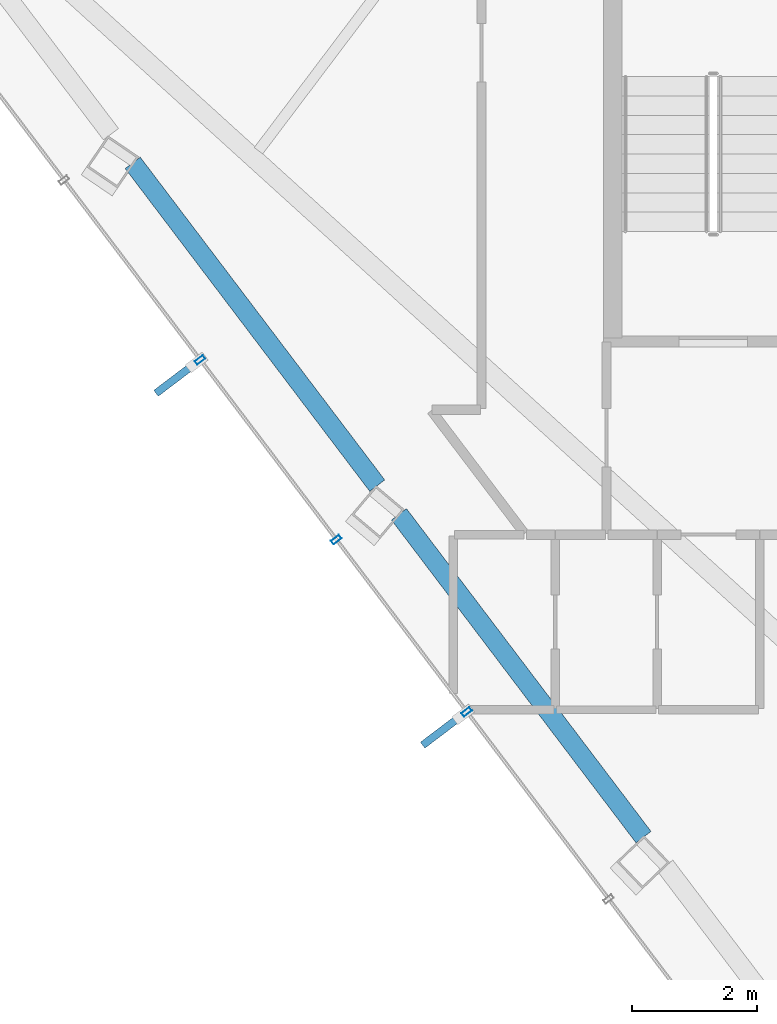
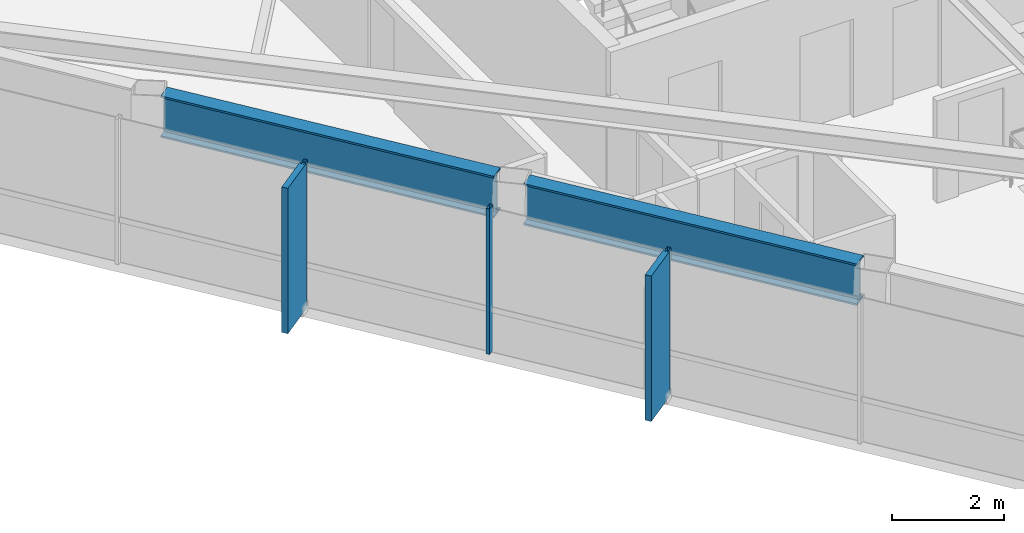
# One storey, part 3 of 25: 5 members, 2 beams, 1 element without a shape of its own.
"""IFC4 building model written with IfcOpenShell, lengths in metres."""

from ifc_helpers import new_model, si_unit, direction, frame, origin, origin_2d, place, context, subcontext, project, spatial, rectangle, hollow_rectangle, i_section, extrude, material, layer, layer_set, material_profile, profile_set, type_object, element, aggregate, save


model = new_model("IFC4")

# Units and contexts
model_context = context("Model", 3, precision=1e-05, world=origin(), true_north=direction((0.0, 1.0)))
body_context = subcontext(model_context, "Body", "Model", "MODEL_VIEW")
ifc_project = project(units=[si_unit("LENGTHUNIT", "METRE"), si_unit("AREAUNIT", "SQUARE_METRE"), si_unit("VOLUMEUNIT", "CUBIC_METRE"), si_unit("PLANEANGLEUNIT", "RADIAN"), si_unit("MASSUNIT", "GRAM", prefix="KILO")], contexts=[model_context])

# Site, building, storey
site_placement = place(None, origin())
site = spatial("IfcSite", under=ifc_project, at=site_placement, CompositionType="ELEMENT")
building_placement = place(site_placement, origin())
building = spatial("IfcBuilding", under=site, at=building_placement, Name="Zarrinselat Tower", CompositionType="ELEMENT")
storey_placement = place(building_placement, frame((0.0, 0.0, 246.159912109375)))
storey = spatial("IfcBuildingStorey", under=building, at=storey_placement, Name="L62", CompositionType="ELEMENT", Elevation=246.159912109375)

# Beams
ifc_material_1 = material(Name="Steel S460M", Category="steel")
ifc_material_profile_1 = material_profile(ifc_material_1, i_section(OverallWidth=0.302001953125, OverallDepth=0.909912109375, WebThickness=0.02099609375, FlangeThickness=0.0400390625, at=origin_2d()), Name="HEM 900")
ifc_profile_set_1 = profile_set([ifc_material_profile_1], Name="Steel S460M")
beam_type = type_object("IfcBeamType", Name="BM-HEM900", PredefinedType="BEAM", material=ifc_profile_set_1)
for number, where, z_axis, x_axis, name in (
    (1, (20.966796875, 36.099365234375, 2.72509765625), (0.603856237533, -0.797093246987, 0.0), (0.797093246987, 0.603856237533, 0.0), "L62 Perimeter Spandrel Girder SP07"),
    (2, (25.228515625, 30.473876953125, 2.72509765625), (0.603856237533, -0.797093246987, 0.0), (0.797093246987, 0.603856237533, 0.0), "L62 Perimeter Spandrel Girder SP08"),
):
    element("IfcBeam", number, at=place(storey_placement, frame(where, z_axis=z_axis, x_axis=x_axis)), inside=storey, type_object=beam_type, Name=name, PredefinedType="BEAM", context=body_context, shape_type="SweptSolid", body=[
        extrude(i_section(OverallWidth=0.302001953125, OverallDepth=0.909912109375, WebThickness=0.02099609375, FlangeThickness=0.0400390625, at=origin_2d()), origin(), (0.0, 0.0, 1.0), 6.4814453125),
    ])

# Curtain wall, members
ifc_material_2 = material(Name="Extruded Aluminium Alloy EN AW-6063 T6", Category="aluminium")
ifc_layer = layer(ifc_material_2, 0.169921875)
ifc_layer_set = layer_set([ifc_layer], Name="Extruded Aluminium Alloy EN AW-6063 T6")
curtain_wall_type = type_object("IfcCurtainWallType", Name="CWS-RES", PredefinedType="NOTDEFINED", material=ifc_layer_set)
curtain_wall_placement = place(storey_placement, origin())
curtain_wall = element("IfcCurtainWall", 3, at=curtain_wall_placement, inside=storey, type_object=curtain_wall_type, Name="L62 Unitised Curtain Wall CW-L62-E03", PredefinedType="NOTDEFINED")
ifc_material_3 = material(Name="Extruded Aluminium Alloy EN AW-6063 T6", Category="aluminium")
ifc_material_profile_2 = material_profile(ifc_material_3, hollow_rectangle(XDim=0.070068359375, YDim=0.159912109375, WallThickness=0.00390625, at=origin_2d()), Name="RHS 160x70x4")
ifc_profile_set_2 = profile_set([ifc_material_profile_2], Name="Extruded Aluminium Alloy EN AW-6063 T6")
member_type_1 = type_object("IfcMemberType", Name="MEM-CW-MUL2", PredefinedType="MULLION", material=ifc_profile_set_2)
member_1_placement = place(storey_placement, frame((22.04541015625, 32.94580078125, 0.0), z_axis=(0.0, 0.0, 1.0), x_axis=(0.603857888062, -0.797091996588, 0.0)))
member_1 = element("IfcMember", 4, at=member_1_placement, type_object=member_type_1, Name="CW-L62-E03 Mullion 3", PredefinedType="MULLION", context=body_context, shape_type="SweptSolid", body=[
    extrude(hollow_rectangle(XDim=0.070068359375, YDim=0.159912109375, WallThickness=0.00390625, at=origin_2d()), origin(), (0.0, 0.0, 1.0), 3.18017578125),
])
member_2_placement = place(storey_placement, frame((24.224853515625, 30.069091796875, 0.0), z_axis=(0.0, 0.0, 1.0), x_axis=(0.603857888062, -0.797091996588, 0.0)))
member_2 = element("IfcMember", 5, at=member_2_placement, type_object=member_type_1, Name="CW-L62-E03 Mullion 4", PredefinedType="MULLION", context=body_context, shape_type="SweptSolid", body=[
    extrude(hollow_rectangle(XDim=0.070068359375, YDim=0.159912109375, WallThickness=0.00390625, at=origin_2d()), origin(), (0.0, 0.0, 1.0), 3.18017578125),
])
member_3_placement = place(storey_placement, frame((26.312255859375, 27.313720703125, 0.0), z_axis=(0.0, 0.0, 1.0), x_axis=(0.603857888062, -0.797091996588, 0.0)))
member_3 = element("IfcMember", 6, at=member_3_placement, type_object=member_type_1, Name="CW-L62-E03 Mullion 5", PredefinedType="MULLION", context=body_context, shape_type="SweptSolid", body=[
    extrude(hollow_rectangle(XDim=0.070068359375, YDim=0.159912109375, WallThickness=0.00390625, at=origin_2d()), origin(), (0.0, 0.0, 1.0), 3.18017578125),
])
ifc_material_4 = material(Name="Honed Cream Travertine Stone", Category="masonry")
ifc_material_profile_3 = material_profile(ifc_material_4, rectangle(XDim=0.1201171875, YDim=0.85009765625, at=origin_2d()), Name="FIN 850x120")
ifc_profile_set_3 = profile_set([ifc_material_profile_3], Name="Honed Cream Travertine Stone")
member_type_2 = type_object("IfcMemberType", Name="MEM-STONE-FIN", PredefinedType="USERDEFINED", material=ifc_profile_set_3)
member_4_placement = place(storey_placement, frame((21.6787109375, 32.66796875, 0.0), z_axis=(0.0, 0.0, 1.0), x_axis=(-0.603857888062, 0.797091996588, 0.0)))
member_4 = element("IfcMember", 7, at=member_4_placement, type_object=member_type_2, Name="L62 Stone Shading Fin CW-L62-E03-03", ObjectType="FIN", PredefinedType="USERDEFINED", context=body_context, shape_type="SweptSolid", body=[
    extrude(rectangle(XDim=0.1201171875, YDim=0.85009765625, at=origin_2d()), origin(), (0.0, 0.0, 1.0), 3.18017578125),
])
member_5_placement = place(storey_placement, frame((25.945556640625, 27.035888671875, 0.0), z_axis=(0.0, 0.0, 1.0), x_axis=(-0.603857888062, 0.797091996588, 0.0)))
member_5 = element("IfcMember", 8, at=member_5_placement, type_object=member_type_2, Name="L62 Stone Shading Fin CW-L62-E03-05", ObjectType="FIN", PredefinedType="USERDEFINED", context=body_context, shape_type="SweptSolid", body=[
    extrude(rectangle(XDim=0.1201171875, YDim=0.85009765625, at=origin_2d()), origin(), (0.0, 0.0, 1.0), 3.18017578125),
])
aggregate(curtain_wall, [member_1, member_4, member_2, member_3, member_5])

save(model, "model.ifc")
